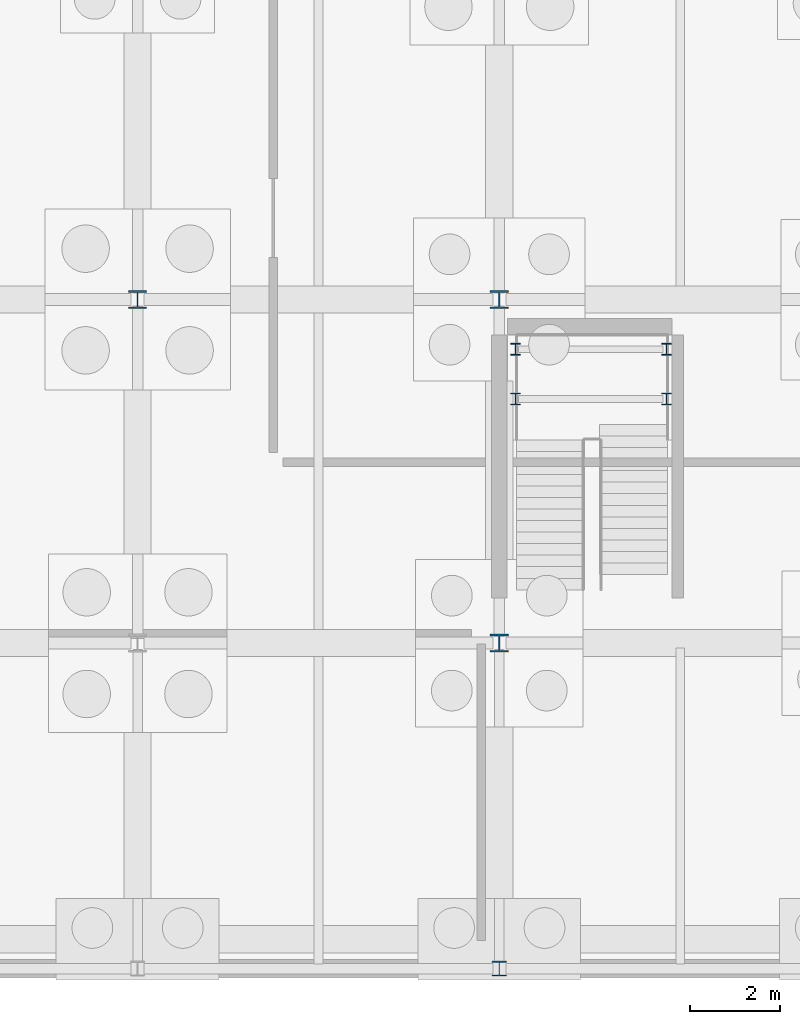
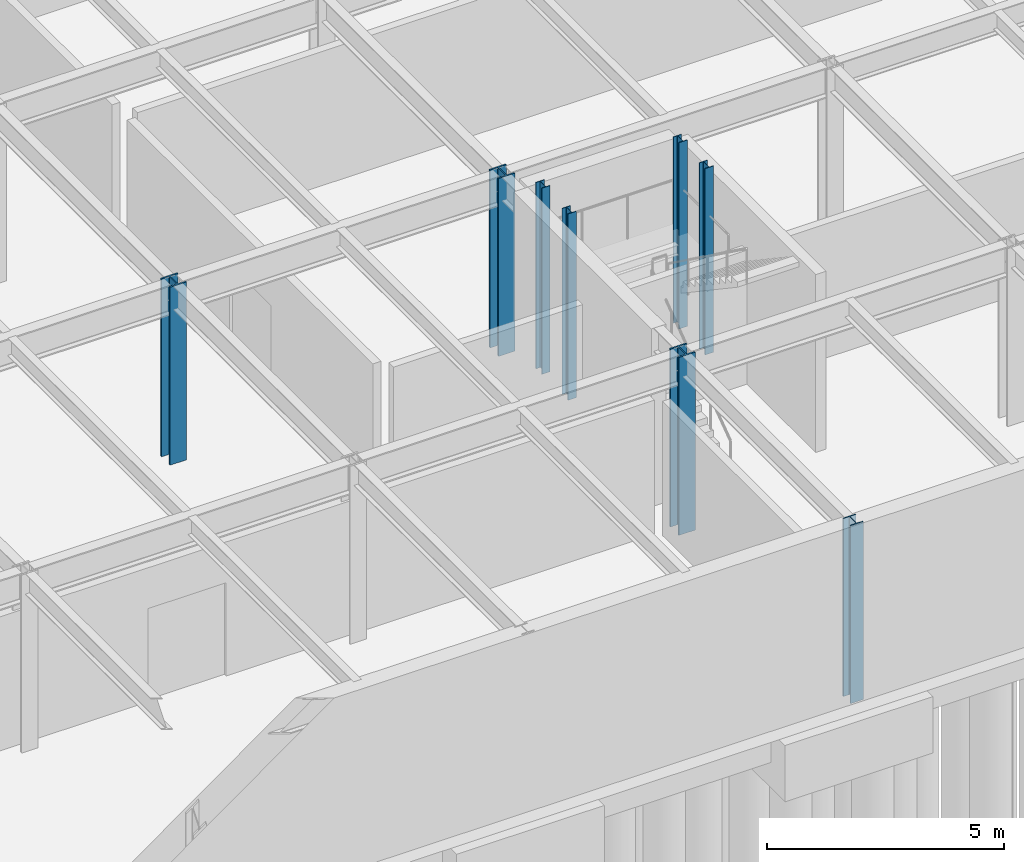
# One storey, part 7 of 21: 8 columns.
"""IFC4 building model written with IfcOpenShell, lengths in metres."""

from ifc_helpers import new_model, si_unit, direction, frame, origin, origin_2d, place, context, subcontext, project, spatial, i_section, extrude, material, material_profile, profile_set, type_object, element, save


model = new_model("IFC4")

# Units and contexts
model_context = context("Model", 3, precision=1e-05, world=origin(), true_north=direction((0.0, 1.0)))
body_context = subcontext(model_context, "Body", "Model", "MODEL_VIEW")
ifc_project = project(units=[si_unit("LENGTHUNIT", "METRE"), si_unit("AREAUNIT", "SQUARE_METRE"), si_unit("VOLUMEUNIT", "CUBIC_METRE"), si_unit("PLANEANGLEUNIT", "RADIAN"), si_unit("MASSUNIT", "GRAM", prefix="KILO")], contexts=[model_context])

# Site, building, storey
site_placement = place(None, origin())
site = spatial("IfcSite", under=ifc_project, at=site_placement, CompositionType="ELEMENT")
building_placement = place(site_placement, origin())
building = spatial("IfcBuilding", under=site, at=building_placement, Name="Zulena Civic Courthouse", CompositionType="ELEMENT")
storey_placement = place(building_placement, frame((0.0, 0.0, -4.800048828125)))
storey = spatial("IfcBuildingStorey", under=building, at=storey_placement, Name="B01", CompositionType="ELEMENT", Elevation=-4.800048828125)

# Columns
ifc_material = material(Name="Steel ASTM A992 Grade 50", Category="steel")
ifc_material_profile_1 = material_profile(ifc_material, i_section(OverallWidth=0.2041015625, OverallDepth=0.257080078125, WebThickness=0.0087890625, FlangeThickness=0.015625, FilletRadius=0.0126953125, at=origin_2d()), Name="W10X45")
ifc_profile_set_1 = profile_set([ifc_material_profile_1], Name="Steel ASTM A992 Grade 50")
column_type_1 = type_object("IfcColumnType", Name="Col_W10X45", PredefinedType="COLUMN", material=ifc_profile_set_1)
for number, where, z_axis, x_axis, name in (
    (1, (92.360107421875, 58.60009765625, 0.0), (0.0, 0.0, 1.0), (1.0, 0.0, 0.0), "col:lnd:STB2:B01:0:0"),
    (2, (95.699951171875, 58.60009765625, 0.0), (0.0, 0.0, 1.0), (1.0, 0.0, 0.0), "col:lnd:STB2:B01:0:1"),
    (3, (92.360107421875, 59.699951171875, 0.0), (0.0, 0.0, 1.0), (1.0, 0.0, 0.0), "col:lnd:STB2:B01:1:0"),
    (4, (95.699951171875, 59.699951171875, 0.0), (0.0, 0.0, 1.0), (1.0, 0.0, 0.0), "col:lnd:STB2:B01:1:1"),
):
    element("IfcColumn", number, at=place(storey_placement, frame(where, z_axis=z_axis, x_axis=x_axis)), inside=storey, type_object=column_type_1, Name=name, PredefinedType="COLUMN", context=body_context, shape_type="SweptSolid", body=[
        extrude(i_section(OverallWidth=0.2041015625, OverallDepth=0.257080078125, WebThickness=0.0087890625, FlangeThickness=0.015625, FilletRadius=0.0126953125, at=origin_2d()), origin(), (0.0, 0.0, 1.0), 4.795166015625),
    ])
ifc_material_profile_2 = material_profile(ifc_material, i_section(OverallWidth=0.31298828125, OverallDepth=0.3330078125, WebThickness=0.01806640625, FlangeThickness=0.0283203125, FilletRadius=0.01513671875, at=origin_2d()), Name="W12X120")
ifc_profile_set_2 = profile_set([ifc_material_profile_2], Name="Steel ASTM A992 Grade 50")
column_type_2 = type_object("IfcColumnType", Name="Col_W12X120", PredefinedType="COLUMN", material=ifc_profile_set_2)
column_placement = place(storey_placement, frame((92.0, 46.0, 0.0), z_axis=(0.0, 0.0, 1.0), x_axis=(1.0, 0.0, 0.0)))
element("IfcColumn", 5, at=column_placement, inside=storey, type_object=column_type_2, Name="col:V5:B01:92.0:46.0", PredefinedType="COLUMN", context=body_context, shape_type="SweptSolid", body=[
    extrude(i_section(OverallWidth=0.31298828125, OverallDepth=0.3330078125, WebThickness=0.01806640625, FlangeThickness=0.0283203125, FilletRadius=0.01513671875, at=origin_2d()), origin(), (0.0, 0.0, 1.0), 4.580078125),
])
ifc_material_profile_3 = material_profile(ifc_material, i_section(OverallWidth=0.40087890625, OverallDepth=0.39892578125, WebThickness=0.02490234375, FlangeThickness=0.03955078125, FilletRadius=0.01513671875, at=origin_2d()), Name="W14X211")
ifc_profile_set_3 = profile_set([ifc_material_profile_3], Name="Steel ASTM A992 Grade 50")
column_type_3 = type_object("IfcColumnType", Name="Col_W14X211", PredefinedType="COLUMN", material=ifc_profile_set_3)
for number, where, z_axis, x_axis, name in (
    (6, (84.0, 60.800048828125, 0.0), (0.0, 0.0, 1.0), (1.0, 0.0, 0.0), "col:V5:B01:84.0:60.8"),
    (7, (92.0, 53.199951171875, 0.0), (0.0, 0.0, 1.0), (1.0, 0.0, 0.0), "col:V5:B01:92.0:53.2"),
    (8, (92.0, 60.800048828125, 0.0), (0.0, 0.0, 1.0), (1.0, 0.0, 0.0), "col:V5:B01:92.0:60.8"),
):
    element("IfcColumn", number, at=place(storey_placement, frame(where, z_axis=z_axis, x_axis=x_axis)), inside=storey, type_object=column_type_3, Name=name, PredefinedType="COLUMN", context=body_context, shape_type="SweptSolid", body=[
        extrude(i_section(OverallWidth=0.40087890625, OverallDepth=0.39892578125, WebThickness=0.02490234375, FlangeThickness=0.03955078125, FilletRadius=0.01513671875, at=origin_2d()), origin(), (0.0, 0.0, 1.0), 4.580078125),
    ])

save(model, "model.ifc")
